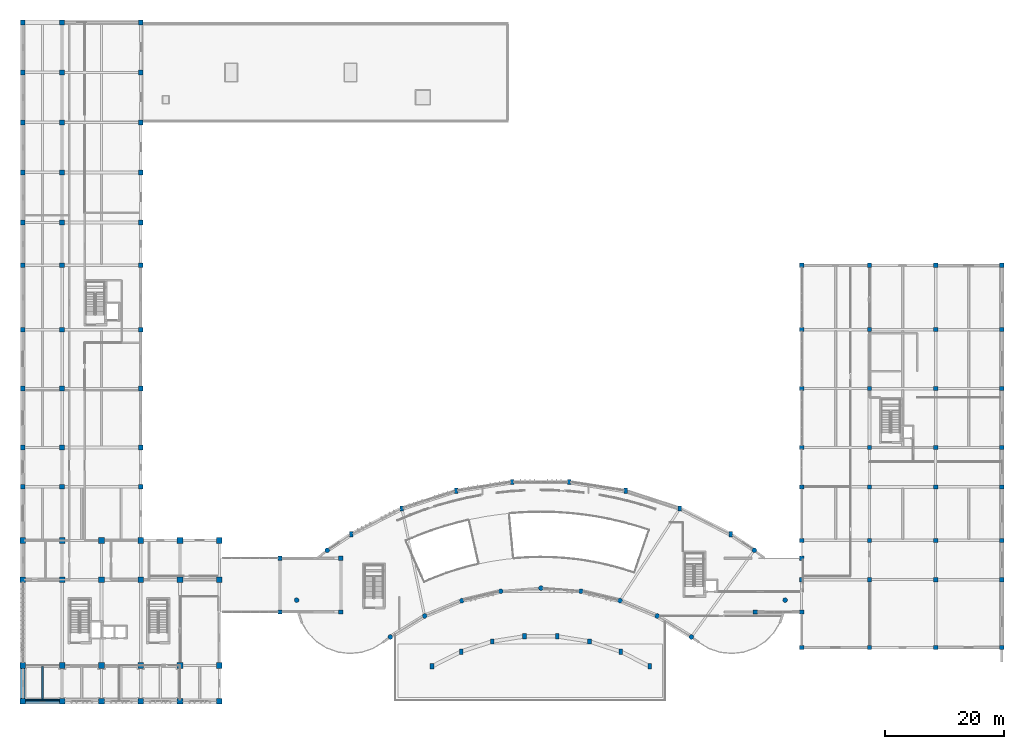
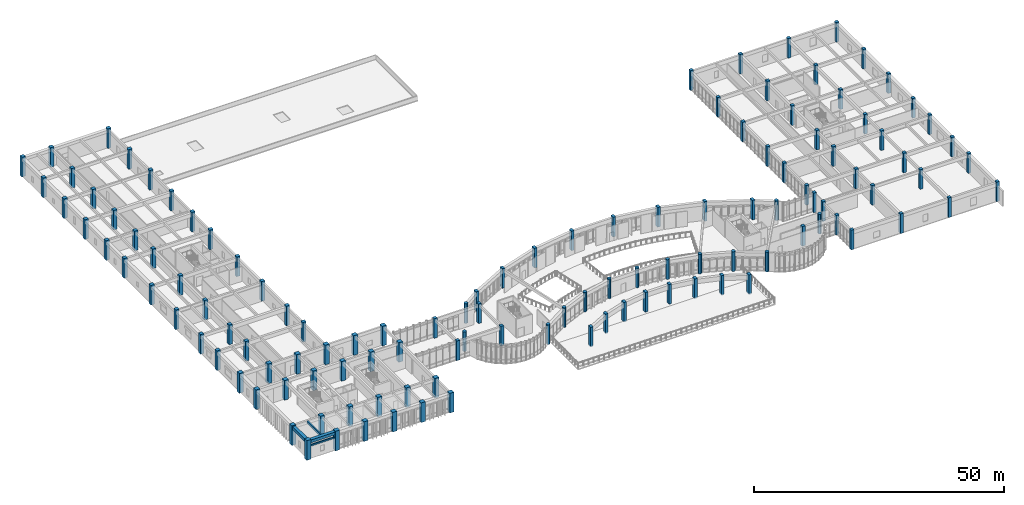
# One storey, part 1 of 65: 122 columns, 4 beams.
"""IFC4 building model written with IfcOpenShell, lengths in metres."""

from ifc_helpers import new_model, si_unit, direction, frame, origin, origin_2d, place, context, subcontext, project, spatial, rectangle, circle, extrude, material, material_profile, profile_set, type_object, element, save


model = new_model("IFC4")

# Units and contexts
model_context = context("Model", 3, precision=1e-05, world=origin(), true_north=direction((0.0, 1.0)))
body_context = subcontext(model_context, "Body", "Model", "MODEL_VIEW")
ifc_project = project(units=[si_unit("LENGTHUNIT", "METRE"), si_unit("AREAUNIT", "SQUARE_METRE"), si_unit("VOLUMEUNIT", "CUBIC_METRE"), si_unit("PLANEANGLEUNIT", "RADIAN"), si_unit("MASSUNIT", "GRAM", prefix="KILO")], contexts=[model_context])

# Site, building, storey
site_placement = place(None, origin())
site = spatial("IfcSite", under=ifc_project, at=site_placement, CompositionType="ELEMENT")
building_placement = place(site_placement, origin())
building = spatial("IfcBuilding", under=site, at=building_placement, Name="Miralva Faculty of Natural Sciences", CompositionType="ELEMENT")
storey_placement = place(building_placement, frame((0.0, 0.0, 10.199951171875)))
storey = spatial("IfcBuildingStorey", under=building, at=storey_placement, Name="L02", CompositionType="ELEMENT", Elevation=10.199951171875)

# Columns
ifc_material_1 = material(Name="Concrete C50/60", Category="concrete")
ifc_material_profile_1 = material_profile(ifc_material_1, rectangle(XDim=0.949951171875, YDim=0.949951171875, at=origin_2d()), Name="RC 950x950")
ifc_profile_set_1 = profile_set([ifc_material_profile_1], Name="Concrete C50/60")
column_type_1 = type_object("IfcColumnType", Name="COL-C02", PredefinedType="COLUMN", material=ifc_profile_set_1)
for number, where, z_axis, x_axis, name in (
    (1, (3.0, 3.0, 0.0), (0.0, 0.0, 1.0), (1.0, 0.0, 0.0), "Column CS-V5-1A L02"),
    (2, (3.0, 9.0, 0.0), (0.0, 0.0, 1.0), (1.0, 0.0, 0.0), "Column CS-V5-1B L02"),
    (3, (3.0, 23.39990234375, 0.0), (0.0, 0.0, 1.0), (1.0, 0.0, 0.0), "Column CS-V5-1C L02"),
    (4, (3.0, 30.0, 0.0), (0.0, 0.0, 1.0), (1.0, 0.0, 0.0), "Column CS-V5-1D L02"),
    (5, (9.60009765625, 3.0, 0.0), (0.0, 0.0, 1.0), (1.0, 0.0, 0.0), "Column CS-V5-2A L02"),
    (6, (9.60009765625, 9.0, 0.0), (0.0, 0.0, 1.0), (1.0, 0.0, 0.0), "Column CS-V5-2B L02"),
    (7, (9.60009765625, 23.39990234375, 0.0), (0.0, 0.0, 1.0), (1.0, 0.0, 0.0), "Column CS-V5-2C L02"),
    (8, (9.60009765625, 30.0, 0.0), (0.0, 0.0, 1.0), (1.0, 0.0, 0.0), "Column CS-V5-2D L02"),
    (9, (16.199951171875, 3.0, 0.0), (0.0, 0.0, 1.0), (1.0, 0.0, 0.0), "Column CS-V5-3A L02"),
    (10, (16.199951171875, 9.0, 0.0), (0.0, 0.0, 1.0), (1.0, 0.0, 0.0), "Column CS-V5-3B L02"),
    (11, (16.199951171875, 23.39990234375, 0.0), (0.0, 0.0, 1.0), (1.0, 0.0, 0.0), "Column CS-V5-3C L02"),
    (12, (16.199951171875, 30.0, 0.0), (0.0, 0.0, 1.0), (1.0, 0.0, 0.0), "Column CS-V5-3D L02"),
    (13, (22.800048828125, 3.0, 0.0), (0.0, 0.0, 1.0), (1.0, 0.0, 0.0), "Column CS-V5-4A L02"),
    (14, (22.800048828125, 9.0, 0.0), (0.0, 0.0, 1.0), (1.0, 0.0, 0.0), "Column CS-V5-4B L02"),
    (15, (22.800048828125, 23.39990234375, 0.0), (0.0, 0.0, 1.0), (1.0, 0.0, 0.0), "Column CS-V5-4C L02"),
    (16, (22.800048828125, 30.0, 0.0), (0.0, 0.0, 1.0), (1.0, 0.0, 0.0), "Column CS-V5-4D L02"),
    (17, (29.39990234375, 3.0, 0.0), (0.0, 0.0, 1.0), (1.0, 0.0, 0.0), "Column CS-V5-5A L02"),
    (18, (29.39990234375, 9.0, 0.0), (0.0, 0.0, 1.0), (1.0, 0.0, 0.0), "Column CS-V5-5B L02"),
    (19, (29.39990234375, 23.39990234375, 0.0), (0.0, 0.0, 1.0), (1.0, 0.0, 0.0), "Column CS-V5-5C L02"),
    (20, (29.39990234375, 30.0, 0.0), (0.0, 0.0, 1.0), (1.0, 0.0, 0.0), "Column CS-V5-5D L02"),
    (21, (36.0, 3.0, 0.0), (0.0, 0.0, 1.0), (1.0, 0.0, 0.0), "Column CS-V5-6A L02"),
    (22, (36.0, 9.0, 0.0), (0.0, 0.0, 1.0), (1.0, 0.0, 0.0), "Column CS-V5-6B L02"),
    (23, (36.0, 23.39990234375, 0.0), (0.0, 0.0, 1.0), (1.0, 0.0, 0.0), "Column CS-V5-6C L02"),
    (24, (36.0, 30.0, 0.0), (0.0, 0.0, 1.0), (1.0, 0.0, 0.0), "Column CS-V5-6D L02"),
):
    element("IfcColumn", number, at=place(storey_placement, frame(where, z_axis=z_axis, x_axis=x_axis)), inside=storey, type_object=column_type_1, Name=name, PredefinedType="COLUMN", context=body_context, shape_type="SweptSolid", body=[
        extrude(rectangle(XDim=0.949951171875, YDim=0.949951171875, at=origin_2d()), origin(), (0.0, 0.0, 1.0), 4.800048828125),
    ])
ifc_material_2 = material(Name="Concrete C40/50", Category="concrete")
ifc_material_profile_2 = material_profile(ifc_material_2, rectangle(XDim=0.800048828125, YDim=0.800048828125, at=origin_2d()), Name="RC 800x800")
ifc_profile_set_2 = profile_set([ifc_material_profile_2], Name="Concrete C40/50")
column_type_2 = type_object("IfcColumnType", Name="COL-C05", PredefinedType="COLUMN", material=ifc_profile_set_2)
for number, where, z_axis, x_axis, name in (
    (25, (3.0, 39.0, 0.0), (0.0, 0.0, 1.0), (1.0, 0.0, 0.0), "Column CS-V4W-1E L02"),
    (26, (3.0, 45.60009765625, 0.0), (0.0, 0.0, 1.0), (1.0, 0.0, 0.0), "Column CS-V4W-1F L02"),
    (27, (3.0, 55.5, 0.0), (0.0, 0.0, 1.0), (1.0, 0.0, 0.0), "Column CS-V4W-1G L02"),
    (28, (3.0, 65.39990234375, 0.0), (0.0, 0.0, 1.0), (1.0, 0.0, 0.0), "Column CS-V4W-1H L02"),
    (29, (3.0, 76.199951171875, 0.0), (0.0, 0.0, 1.0), (1.0, 0.0, 0.0), "Column CS-V4W-1I L02"),
    (30, (3.0, 83.39990234375, 0.0), (0.0, 0.0, 1.0), (1.0, 0.0, 0.0), "Column CS-V4W-1J L02"),
    (31, (3.0, 91.800048828125, 0.0), (0.0, 0.0, 1.0), (1.0, 0.0, 0.0), "Column CS-V4W-1K L02"),
    (32, (3.0, 100.199951171875, 0.0), (0.0, 0.0, 1.0), (1.0, 0.0, 0.0), "Column CS-V4W-1L L02"),
    (33, (3.0, 108.60009765625, 0.0), (0.0, 0.0, 1.0), (1.0, 0.0, 0.0), "Column CS-V4W-1M L02"),
    (34, (3.0, 117.0, 0.0), (0.0, 0.0, 1.0), (1.0, 0.0, 0.0), "Column CS-V4W-1N L02"),
    (35, (9.60009765625, 39.0, 0.0), (0.0, 0.0, 1.0), (1.0, 0.0, 0.0), "Column CS-V4W-2E L02"),
    (36, (9.60009765625, 45.60009765625, 0.0), (0.0, 0.0, 1.0), (1.0, 0.0, 0.0), "Column CS-V4W-2F L02"),
    (37, (9.60009765625, 55.5, 0.0), (0.0, 0.0, 1.0), (1.0, 0.0, 0.0), "Column CS-V4W-2G L02"),
    (38, (9.60009765625, 65.39990234375, 0.0), (0.0, 0.0, 1.0), (1.0, 0.0, 0.0), "Column CS-V4W-2H L02"),
    (39, (9.60009765625, 76.199951171875, 0.0), (0.0, 0.0, 1.0), (1.0, 0.0, 0.0), "Column CS-V4W-2I L02"),
    (40, (9.60009765625, 83.39990234375, 0.0), (0.0, 0.0, 1.0), (1.0, 0.0, 0.0), "Column CS-V4W-2J L02"),
    (41, (9.60009765625, 91.800048828125, 0.0), (0.0, 0.0, 1.0), (1.0, 0.0, 0.0), "Column CS-V4W-2K L02"),
    (42, (9.60009765625, 100.199951171875, 0.0), (0.0, 0.0, 1.0), (1.0, 0.0, 0.0), "Column CS-V4W-2L L02"),
    (43, (9.60009765625, 108.60009765625, 0.0), (0.0, 0.0, 1.0), (1.0, 0.0, 0.0), "Column CS-V4W-2M L02"),
    (44, (9.60009765625, 117.0, 0.0), (0.0, 0.0, 1.0), (1.0, 0.0, 0.0), "Column CS-V4W-2N L02"),
    (45, (22.800048828125, 39.0, 0.0), (0.0, 0.0, 1.0), (1.0, 0.0, 0.0), "Column CS-V4W-4E L02"),
    (46, (22.800048828125, 45.60009765625, 0.0), (0.0, 0.0, 1.0), (1.0, 0.0, 0.0), "Column CS-V4W-4F L02"),
    (47, (22.800048828125, 55.5, 0.0), (0.0, 0.0, 1.0), (1.0, 0.0, 0.0), "Column CS-V4W-4G L02"),
    (48, (22.800048828125, 65.39990234375, 0.0), (0.0, 0.0, 1.0), (1.0, 0.0, 0.0), "Column CS-V4W-4H L02"),
    (49, (22.800048828125, 76.199951171875, 0.0), (0.0, 0.0, 1.0), (1.0, 0.0, 0.0), "Column CS-V4W-4I L02"),
    (50, (22.800048828125, 83.39990234375, 0.0), (0.0, 0.0, 1.0), (1.0, 0.0, 0.0), "Column CS-V4W-4J L02"),
    (51, (22.800048828125, 91.800048828125, 0.0), (0.0, 0.0, 1.0), (1.0, 0.0, 0.0), "Column CS-V4W-4K L02"),
    (52, (22.800048828125, 100.199951171875, 0.0), (0.0, 0.0, 1.0), (1.0, 0.0, 0.0), "Column CS-V4W-4L L02"),
    (53, (22.800048828125, 108.60009765625, 0.0), (0.0, 0.0, 1.0), (1.0, 0.0, 0.0), "Column CS-V4W-4M L02"),
    (54, (22.800048828125, 117.0, 0.0), (0.0, 0.0, 1.0), (1.0, 0.0, 0.0), "Column CS-V4W-4N L02"),
):
    element("IfcColumn", number, at=place(storey_placement, frame(where, z_axis=z_axis, x_axis=x_axis)), inside=storey, type_object=column_type_2, Name=name, PredefinedType="COLUMN", context=body_context, shape_type="SweptSolid", body=[
        extrude(rectangle(XDim=0.800048828125, YDim=0.800048828125, at=origin_2d()), origin(), (0.0, 0.0, 1.0), 4.800048828125),
    ])
ifc_material_profile_3 = material_profile(ifc_material_2, rectangle(XDim=0.699951171875, YDim=0.699951171875, at=origin_2d()), Name="RC 700x700")
ifc_profile_set_3 = profile_set([ifc_material_profile_3], Name="Concrete C40/50")
column_type_3 = type_object("IfcColumnType", Name="COL-C07", PredefinedType="COLUMN", material=ifc_profile_set_3)
for number, where, z_axis, x_axis, name in (
    (55, (133.800048828125, 18.0, 0.0), (0.0, 0.0, 1.0), (1.0, 0.0, 0.0), "Column CS-LNK-EL2S L02"),
    (56, (133.800048828125, 27.0, 0.0), (0.0, 0.0, 1.0), (1.0, 0.0, 0.0), "Column CS-LNK-EL2N L02"),
    (57, (133.800048828125, 12.0, 0.0), (0.0, 0.0, 1.0), (1.0, 0.0, 0.0), "Column CS-V2C-16B12 L02"),
    (58, (133.800048828125, 23.39990234375, 0.0), (0.0, 0.0, 1.0), (1.0, 0.0, 0.0), "Column CS-V2C-16C L02"),
    (59, (133.800048828125, 30.0, 0.0), (0.0, 0.0, 1.0), (1.0, 0.0, 0.0), "Column CS-V2C-16D L02"),
    (60, (133.800048828125, 39.0, 0.0), (0.0, 0.0, 1.0), (1.0, 0.0, 0.0), "Column CS-V2C-16E L02"),
    (61, (133.800048828125, 45.60009765625, 0.0), (0.0, 0.0, 1.0), (1.0, 0.0, 0.0), "Column CS-V2C-16F L02"),
    (62, (133.800048828125, 55.5, 0.0), (0.0, 0.0, 1.0), (1.0, 0.0, 0.0), "Column CS-V2C-16G L02"),
    (63, (133.800048828125, 65.39990234375, 0.0), (0.0, 0.0, 1.0), (1.0, 0.0, 0.0), "Column CS-V2C-16H L02"),
    (64, (133.800048828125, 76.199951171875, 0.0), (0.0, 0.0, 1.0), (1.0, 0.0, 0.0), "Column CS-V2C-16I L02"),
    (65, (145.199951171875, 12.0, 0.0), (0.0, 0.0, 1.0), (1.0, 0.0, 0.0), "Column CS-V2C-17B12 L02"),
    (66, (145.199951171875, 23.39990234375, 0.0), (0.0, 0.0, 1.0), (1.0, 0.0, 0.0), "Column CS-V2C-17C L02"),
    (67, (145.199951171875, 30.0, 0.0), (0.0, 0.0, 1.0), (1.0, 0.0, 0.0), "Column CS-V2C-17D L02"),
    (68, (145.199951171875, 39.0, 0.0), (0.0, 0.0, 1.0), (1.0, 0.0, 0.0), "Column CS-V2C-17E L02"),
    (69, (145.199951171875, 45.60009765625, 0.0), (0.0, 0.0, 1.0), (1.0, 0.0, 0.0), "Column CS-V2C-17F L02"),
    (70, (145.199951171875, 55.5, 0.0), (0.0, 0.0, 1.0), (1.0, 0.0, 0.0), "Column CS-V2C-17G L02"),
    (71, (145.199951171875, 65.39990234375, 0.0), (0.0, 0.0, 1.0), (1.0, 0.0, 0.0), "Column CS-V2C-17H L02"),
    (72, (145.199951171875, 76.199951171875, 0.0), (0.0, 0.0, 1.0), (1.0, 0.0, 0.0), "Column CS-V2C-17I L02"),
    (73, (156.300048828125, 12.0, 0.0), (0.0, 0.0, 1.0), (1.0, 0.0, 0.0), "Column CS-V2C-18B12 L02"),
    (74, (156.300048828125, 23.39990234375, 0.0), (0.0, 0.0, 1.0), (1.0, 0.0, 0.0), "Column CS-V2C-18C L02"),
    (75, (156.300048828125, 30.0, 0.0), (0.0, 0.0, 1.0), (1.0, 0.0, 0.0), "Column CS-V2C-18D L02"),
    (76, (156.300048828125, 39.0, 0.0), (0.0, 0.0, 1.0), (1.0, 0.0, 0.0), "Column CS-V2C-18E L02"),
    (77, (156.300048828125, 45.60009765625, 0.0), (0.0, 0.0, 1.0), (1.0, 0.0, 0.0), "Column CS-V2C-18F L02"),
    (78, (156.300048828125, 55.5, 0.0), (0.0, 0.0, 1.0), (1.0, 0.0, 0.0), "Column CS-V2C-18G L02"),
    (79, (156.300048828125, 65.39990234375, 0.0), (0.0, 0.0, 1.0), (1.0, 0.0, 0.0), "Column CS-V2C-18H L02"),
    (80, (156.300048828125, 76.199951171875, 0.0), (0.0, 0.0, 1.0), (1.0, 0.0, 0.0), "Column CS-V2C-18I L02"),
    (81, (167.39990234375, 12.0, 0.0), (0.0, 0.0, 1.0), (1.0, 0.0, 0.0), "Column CS-V2C-19B12 L02"),
    (82, (167.39990234375, 23.39990234375, 0.0), (0.0, 0.0, 1.0), (1.0, 0.0, 0.0), "Column CS-V2C-19C L02"),
    (83, (167.39990234375, 30.0, 0.0), (0.0, 0.0, 1.0), (1.0, 0.0, 0.0), "Column CS-V2C-19D L02"),
    (84, (167.39990234375, 39.0, 0.0), (0.0, 0.0, 1.0), (1.0, 0.0, 0.0), "Column CS-V2C-19E L02"),
    (85, (167.39990234375, 45.60009765625, 0.0), (0.0, 0.0, 1.0), (1.0, 0.0, 0.0), "Column CS-V2C-19F L02"),
    (86, (167.39990234375, 55.5, 0.0), (0.0, 0.0, 1.0), (1.0, 0.0, 0.0), "Column CS-V2C-19G L02"),
    (87, (167.39990234375, 65.39990234375, 0.0), (0.0, 0.0, 1.0), (1.0, 0.0, 0.0), "Column CS-V2C-19H L02"),
    (88, (167.39990234375, 76.199951171875, 0.0), (0.0, 0.0, 1.0), (1.0, 0.0, 0.0), "Column CS-V2C-19I L02"),
    (89, (46.199951171875, 18.0, 0.0), (0.0, 0.0, 1.0), (1.0, 0.0, 0.0), "Column CS-LNK-WL1S L02"),
    (90, (46.199951171875, 27.0, 0.0), (0.0, 0.0, 1.0), (1.0, 0.0, 0.0), "Column CS-LNK-WL1N L02"),
    (91, (56.39990234375, 18.0, 0.0), (0.0, 0.0, 1.0), (1.0, 0.0, 0.0), "Column CS-LNK-WL2S L02"),
    (92, (56.39990234375, 27.0, 0.0), (0.0, 0.0, 1.0), (1.0, 0.0, 0.0), "Column CS-LNK-WL2N L02"),
    (93, (126.0, 18.0, 0.0), (0.0, 0.0, 1.0), (1.0, 0.0, 0.0), "Column CS-LNK-EL1S L02"),
):
    element("IfcColumn", number, at=place(storey_placement, frame(where, z_axis=z_axis, x_axis=x_axis)), inside=storey, type_object=column_type_3, Name=name, PredefinedType="COLUMN", context=body_context, shape_type="SweptSolid", body=[
        extrude(rectangle(XDim=0.699951171875, YDim=0.699951171875, at=origin_2d()), origin(), (0.0, 0.0, 1.0), 4.800048828125),
    ])
ifc_material_profile_4 = material_profile(ifc_material_1, rectangle(XDim=0.60009765625, YDim=0.89990234375, at=origin_2d()), Name="RC 600x900")
ifc_profile_set_4 = profile_set([ifc_material_profile_4], Name="Concrete C50/60")
column_type_4 = type_object("IfcColumnType", Name="COL-C11", PredefinedType="COLUMN", material=ifc_profile_set_4)
for number, where, z_axis, x_axis, name in (
    (94, (71.712646484375, 8.84228515625, 0.0), (0.0, 0.0, 1.0), (1.0, 0.0, 0.0), "Column CS-SH-IN01 L02"),
    (95, (58.127685546875, 31.010986328125, 0.0), (0.0, 0.0, 1.0), (1.0, 0.0, 0.0), "Column CS-SH-OUT01 L02"),
    (96, (76.606201171875, 11.335693359375, 0.0), (0.0, 0.0, 1.0), (1.0, 0.0, 0.0), "Column CS-SH-IN02 L02"),
    (97, (66.65625, 35.356689453125, 0.0), (0.0, 0.0, 1.0), (1.0, 0.0, 0.0), "Column CS-SH-OUT02 L02"),
    (98, (81.829345703125, 13.032958984375, 0.0), (0.0, 0.0, 1.0), (1.0, 0.0, 0.0), "Column CS-SH-IN03 L02"),
    (99, (75.759765625, 38.314697265625, 0.0), (0.0, 0.0, 1.0), (1.0, 0.0, 0.0), "Column CS-SH-OUT03 L02"),
    (100, (87.25390625, 13.89208984375, 0.0), (0.0, 0.0, 1.0), (1.0, 0.0, 0.0), "Column CS-SH-IN04 L02"),
    (101, (85.214111328125, 39.81201171875, 0.0), (0.0, 0.0, 1.0), (1.0, 0.0, 0.0), "Column CS-SH-OUT04 L02"),
    (102, (92.74609375, 13.89208984375, 0.0), (0.0, 0.0, 1.0), (1.0, 0.0, 0.0), "Column CS-SH-IN05 L02"),
    (103, (94.785888671875, 39.81201171875, 0.0), (0.0, 0.0, 1.0), (1.0, 0.0, 0.0), "Column CS-SH-OUT05 L02"),
    (104, (98.170654296875, 13.032958984375, 0.0), (0.0, 0.0, 1.0), (1.0, 0.0, 0.0), "Column CS-SH-IN06 L02"),
    (105, (104.240234375, 38.314697265625, 0.0), (0.0, 0.0, 1.0), (1.0, 0.0, 0.0), "Column CS-SH-OUT06 L02"),
    (106, (103.393798828125, 11.335693359375, 0.0), (0.0, 0.0, 1.0), (1.0, 0.0, 0.0), "Column CS-SH-IN07 L02"),
    (107, (113.34375, 35.356689453125, 0.0), (0.0, 0.0, 1.0), (1.0, 0.0, 0.0), "Column CS-SH-OUT07 L02"),
    (108, (108.287353515625, 8.84228515625, 0.0), (0.0, 0.0, 1.0), (1.0, 0.0, 0.0), "Column CS-SH-IN08 L02"),
    (109, (121.872314453125, 31.010986328125, 0.0), (0.0, 0.0, 1.0), (1.0, 0.0, 0.0), "Column CS-SH-OUT08 L02"),
):
    element("IfcColumn", number, at=place(storey_placement, frame(where, z_axis=z_axis, x_axis=x_axis)), inside=storey, type_object=column_type_4, Name=name, PredefinedType="COLUMN", context=body_context, shape_type="SweptSolid", body=[
        extrude(rectangle(XDim=0.60009765625, YDim=0.89990234375, at=origin_2d()), origin(), (0.0, 0.0, 1.0), 4.800048828125),
    ])
ifc_material_profile_5 = material_profile(ifc_material_2, circle(Radius=0.39990234375, at=origin_2d()), Name="RC DIA 800")
ifc_profile_set_5 = profile_set([ifc_material_profile_5], Name="Concrete C40/50")
column_type_5 = type_object("IfcColumnType", Name="COL-C14", PredefinedType="COLUMN", material=ifc_profile_set_5)
for number, where, z_axis, x_axis, name in (
    (110, (64.72509765625, 13.78759765625, 0.0), (0.0, 0.0, 1.0), (1.0, 0.0, 0.0), "Column CS-ARC-IN01 L02"),
    (111, (54.14501953125, 28.35009765625, 0.0), (0.0, 0.0, 1.0), (1.0, 0.0, 0.0), "Column CS-ARC-OUT01 L02"),
    (112, (70.478515625, 17.313232421875, 0.0), (0.0, 0.0, 1.0), (1.0, 0.0, 0.0), "Column CS-ARC-IN02 L02"),
    (113, (76.71240234375, 19.8955078125, 0.0), (0.0, 0.0, 1.0), (1.0, 0.0, 0.0), "Column CS-ARC-IN03 L02"),
    (114, (83.273193359375, 21.470703125, 0.0), (0.0, 0.0, 1.0), (1.0, 0.0, 0.0), "Column CS-ARC-IN04 L02"),
    (115, (90.0, 22.0, 0.0), (0.0, 0.0, 1.0), (1.0, 0.0, 0.0), "Column CS-ARC-IN05 L02"),
    (116, (96.726806640625, 21.470703125, 0.0), (0.0, 0.0, 1.0), (1.0, 0.0, 0.0), "Column CS-ARC-IN06 L02"),
    (117, (103.28759765625, 19.8955078125, 0.0), (0.0, 0.0, 1.0), (1.0, 0.0, 0.0), "Column CS-ARC-IN07 L02"),
    (118, (109.521484375, 17.313232421875, 0.0), (0.0, 0.0, 1.0), (1.0, 0.0, 0.0), "Column CS-ARC-IN08 L02"),
    (119, (115.27490234375, 13.78759765625, 0.0), (0.0, 0.0, 1.0), (1.0, 0.0, 0.0), "Column CS-ARC-IN09 L02"),
    (120, (125.85498046875, 28.35009765625, 0.0), (0.0, 0.0, 1.0), (1.0, 0.0, 0.0), "Column CS-ARC-OUT09 L02"),
    (121, (48.985595703125, 19.9765625, 0.0), (0.0, 0.0, 1.0), (1.0, 0.0, 0.0), "Column CS-RND-W01 L02"),
    (122, (131.014404296875, 19.9765625, 0.0), (0.0, 0.0, 1.0), (1.0, 0.0, 0.0), "Column CS-RND-E01 L02"),
):
    element("IfcColumn", number, at=place(storey_placement, frame(where, z_axis=z_axis, x_axis=x_axis)), inside=storey, type_object=column_type_5, Name=name, PredefinedType="COLUMN", context=body_context, shape_type="SweptSolid", body=[
        extrude(circle(Radius=0.39990234375, at=origin_2d()), origin(), (0.0, 0.0, 1.0), 4.800048828125),
    ])

# Beams
ifc_material_profile_6 = material_profile(ifc_material_2, rectangle(XDim=0.300048828125, YDim=0.60009765625, at=origin_2d()), Name="RC 300x600")
ifc_profile_set_6 = profile_set([ifc_material_profile_6], Name="Concrete C40/50")
beam_type_1 = type_object("IfcBeamType", Name="BM-J01", PredefinedType="JOIST", material=ifc_profile_set_6)
beam_1_placement = place(storey_placement, frame((6.300048828125, 3.375, 4.280029296875), z_axis=(0.0, 1.0, 0.0), x_axis=(-1.0, 0.0, 0.0)))
element("IfcBeam", 123, at=beam_1_placement, inside=storey, type_object=beam_type_1, Name="Floor joist L02-1", PredefinedType="JOIST", context=body_context, shape_type="SweptSolid", body=[
    extrude(rectangle(XDim=0.300048828125, YDim=0.60009765625, at=origin_2d()), origin(), (0.0, 0.0, 1.0), 5.425048828125),
])
ifc_material_3 = material(Name="Precast concrete C40/50", Category="concrete")
ifc_material_profile_7 = material_profile(ifc_material_3, rectangle(XDim=0.25, YDim=0.35009765625, at=origin_2d()), Name="RC 250x350")
ifc_profile_set_7 = profile_set([ifc_material_profile_7], Name="Precast concrete C40/50")
beam_type_2 = type_object("IfcBeamType", Name="BM-LN01", PredefinedType="LINTEL", material=ifc_profile_set_7)
beam_2_placement = place(storey_placement, frame((3.451171875, 3.0, 3.050048828125), z_axis=(1.0, 0.0, 0.0), x_axis=(0.0, 1.0, 0.0)))
element("IfcBeam", 124, at=beam_2_placement, inside=storey, type_object=beam_type_2, Name="Precast stone window lintel S L02", PredefinedType="LINTEL", context=body_context, shape_type="SweptSolid", body=[
    extrude(rectangle(XDim=0.25, YDim=0.35009765625, at=origin_2d()), origin(), (0.0, 0.0, 1.0), 5.697509765625),
])
ifc_material_profile_8 = material_profile(ifc_material_2, rectangle(XDim=0.75, YDim=0.699951171875, at=origin_2d()), Name="RC 750x700")
ifc_profile_set_8 = profile_set([ifc_material_profile_8], Name="Concrete C40/50")
beam_type_3 = type_object("IfcBeamType", Name="BM-SP01", PredefinedType="SPANDREL", material=ifc_profile_set_8)
beam_3_placement = place(storey_placement, frame((3.47509765625, 3.0, 4.22998046875), z_axis=(1.0, 0.0, 0.0), x_axis=(0.0, 1.0, 0.0)))
element("IfcBeam", 125, at=beam_3_placement, inside=storey, type_object=beam_type_3, Name="Girder EW L02-1", PredefinedType="SPANDREL", context=body_context, shape_type="SweptSolid", body=[
    extrude(rectangle(XDim=0.75, YDim=0.699951171875, at=origin_2d()), origin(), (0.0, 0.0, 1.0), 5.64990234375),
])
beam_4_placement = place(storey_placement, frame((3.0, 3.47509765625, 4.22998046875), z_axis=(0.0, 1.0, 0.0), x_axis=(-1.0, 0.0, 0.0)))
element("IfcBeam", 126, at=beam_4_placement, inside=storey, type_object=beam_type_3, Name="Girder NS L02-70", PredefinedType="SPANDREL", context=body_context, shape_type="SweptSolid", body=[
    extrude(rectangle(XDim=0.75, YDim=0.699951171875, at=origin_2d()), origin(), (0.0, 0.0, 1.0), 5.0498046875),
])

save(model, "model.ifc")
